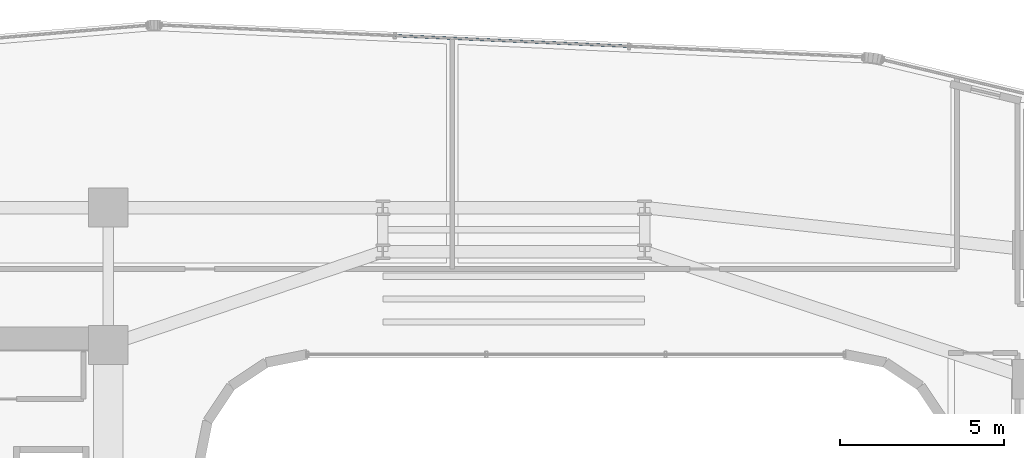
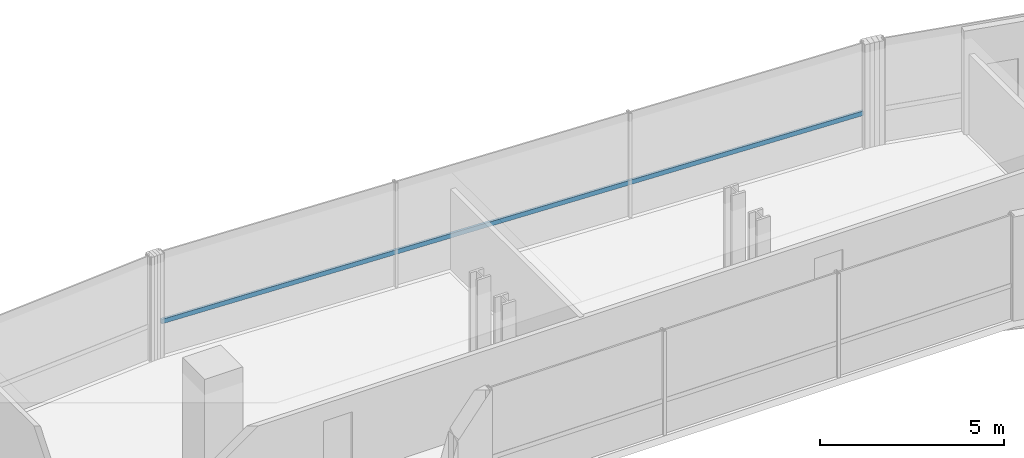
# One storey, part 21 of 34: 1 member, 1 element without a shape of its own.
"""IFC4 building model written with IfcOpenShell, lengths in metres."""

from ifc_helpers import new_model, si_unit, direction, frame, origin, origin_2d, place, context, subcontext, project, spatial, hollow_rectangle, extrude, source, transform, mapped, material, material_profile, profile_set, type_object, element, aggregate, save


model = new_model("IFC4")

# Units and contexts
model_context = context("Model", 3, precision=1e-05, world=origin(), true_north=direction((0.0, 1.0)))
body_context = subcontext(model_context, "Body", "Model", "MODEL_VIEW")
ifc_project = project(units=[si_unit("LENGTHUNIT", "METRE"), si_unit("AREAUNIT", "SQUARE_METRE"), si_unit("VOLUMEUNIT", "CUBIC_METRE"), si_unit("PLANEANGLEUNIT", "RADIAN"), si_unit("MASSUNIT", "GRAM", prefix="KILO")], contexts=[model_context])

# Site, building, storey
site_placement = place(None, origin())
site = spatial("IfcSite", under=ifc_project, at=site_placement, CompositionType="ELEMENT")
building_placement = place(site_placement, origin())
building = spatial("IfcBuilding", under=site, at=building_placement, Name="Valdorenza Pilgrim Sanctuary Tower", CompositionType="ELEMENT")
storey_placement = place(building_placement, frame((0.0, 0.0, 142.699951171875)))
storey = spatial("IfcBuildingStorey", under=building, at=storey_placement, Name="L36", CompositionType="ELEMENT", Elevation=142.699951171875)

# Curtain wall, member
ifc_material_1 = material(Name="Curtain-wall IGU glazing", Category="glass")
curtain_wall_type = type_object("IfcCurtainWallType", Name="CW-SYS-02", PredefinedType="NOTDEFINED", material=ifc_material_1)
curtain_wall_placement = place(storey_placement, origin())
curtain_wall = element("IfcCurtainWall", 1, at=curtain_wall_placement, inside=storey, type_object=curtain_wall_type, Name="L36 Curtain Wall CW-L36-1-11", PredefinedType="NOTDEFINED")
ifc_material_2 = material(Name="Anodised aluminium AW-6060", Category="aluminium")
ifc_material_profile = material_profile(ifc_material_2, hollow_rectangle(XDim=0.074951171875, YDim=0.14990234375, WallThickness=0.00390625, at=origin_2d()), Name="ALU-T 150x75x4")
ifc_profile_set = profile_set([ifc_material_profile], Name="Anodised aluminium AW-6060")
member_type = type_object("IfcMemberType", Name="CW-TRN-02", PredefinedType="USERDEFINED", material=ifc_profile_set)
shared_shape = source(origin(), body_context, "Body", "SweptSolid", [
    extrude(hollow_rectangle(XDim=0.074951171875, YDim=0.14990234375, WallThickness=0.00390625, at=origin_2d()), origin(), (0.0, 0.0, 1.0), 21.5078125),
])
member_placement = place(storey_placement, frame((-10.795654296875, 20.380615234375, 1.1201171875), z_axis=(0.99896865723, -0.045405086403, 0.0), x_axis=(0.045405086403, 0.99896865723, 0.0)))
member = element("IfcMember", 2, at=member_placement, type_object=member_type, Name="CW-L36-1-11 Transom 1", ObjectType="TRANSOM", PredefinedType="USERDEFINED", context=body_context, shape_type="MappedRepresentation", body=[
    mapped(shared_shape, transform((0.0, 0.0, 0.0), x_axis=(1.0, 0.0, 0.0), y_axis=(0.0, 1.0, 0.0), z_axis=(0.0, 0.0, 1.0), scale=1.0)),
])
aggregate(curtain_wall, [member])

save(model, "model.ifc")
